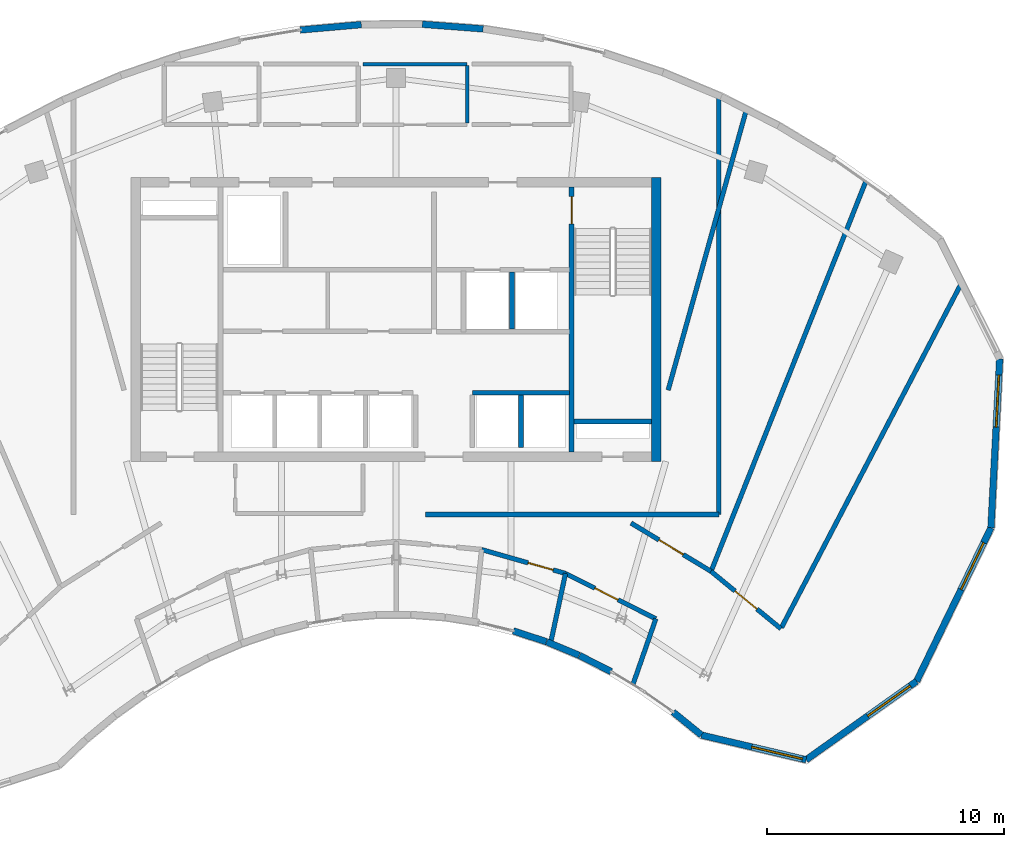
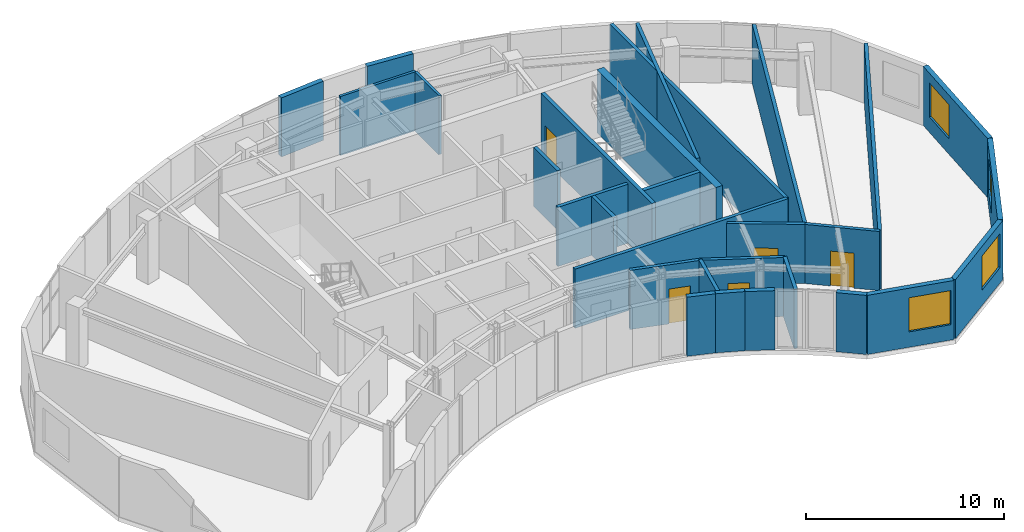
# One storey, part 7 of 9: 29 walls, 5 doors, 4 windows, 9 openings.
"""IFC4 building model written with IfcOpenShell, lengths in metres."""

from ifc_helpers import new_model, si_unit, direction, frame, frame_2d, origin, place, context, subcontext, project, spatial, rectangle, extrude, source, transform, mapped, material, layer, layer_set, type_object, type_shapes, element, fill, save


model = new_model("IFC4")

# Units and contexts
model_context = context("Model", 3, precision=1e-05, world=origin(), true_north=direction((0.0, 1.0)))
body_context = subcontext(model_context, "Body", "Model", "MODEL_VIEW")
ifc_project = project(units=[si_unit("LENGTHUNIT", "METRE"), si_unit("AREAUNIT", "SQUARE_METRE"), si_unit("VOLUMEUNIT", "CUBIC_METRE"), si_unit("PLANEANGLEUNIT", "RADIAN"), si_unit("MASSUNIT", "GRAM", prefix="KILO")], contexts=[model_context])

# Site, building, storey
site_placement = place(None, origin())
site = spatial("IfcSite", under=ifc_project, at=site_placement, CompositionType="ELEMENT")
building_placement = place(site_placement, origin())
building = spatial("IfcBuilding", under=site, at=building_placement, Name="Breltana Convention Tower", CompositionType="ELEMENT")
storey_placement = place(building_placement, frame((0.0, 0.0, 279.60009765625)))
storey = spatial("IfcBuildingStorey", under=building, at=storey_placement, Name="L68", CompositionType="ELEMENT", Elevation=279.60009765625)

# Walls
ifc_material_1 = material(Name="Concrete C50/60", Category="concrete")
ifc_layer_1 = layer(ifc_material_1, 0.39990234375, Name="Concrete C50/60")
ifc_layer_set_1 = layer_set([ifc_layer_1], Name="Concrete C50/60")
wall_type_1 = type_object("IfcWallType", Name="SW-CORE-400", PredefinedType="SHEAR", material=ifc_layer_set_1)
shared_shape_1 = source(origin(), body_context, "Body", "SweptSolid", [
    extrude(rectangle(XDim=3.27001953125, YDim=0.219970703125, at=frame_2d((1.635009765625, 0.0))), origin(), (0.0, 0.0, 1.0), 3.89990234375),
])
wall_1_placement = place(storey_placement, frame((55.530029296875, 61.889892578125, 0.0), z_axis=(0.0, 0.0, 1.0), x_axis=(1.0, 0.0, 0.0)))
element("IfcWall", 1, at=wall_1_placement, inside=storey, type_object=wall_type_1, Name="L68 ST-2 Stairwell South Bearing Wall", PredefinedType="SHEAR", context=body_context, shape_type="MappedRepresentation", body=[
    mapped(shared_shape_1, transform((0.0, 0.0, 0.0), scale=1.0)),
])
shared_shape_2 = source(origin(), body_context, "Body", "SweptSolid", [
    extrude(rectangle(XDim=12.0, YDim=0.39990234375, at=frame_2d((6.0, 0.0))), origin(), (0.0, 0.0, 1.0), 3.89990234375),
])
wall_2_placement = place(storey_placement, frame((59.0, 60.199951171875, 0.0), z_axis=(0.0, 0.0, 1.0), x_axis=(0.0, 1.0, 0.0)))
element("IfcWall", 2, at=wall_2_placement, inside=storey, type_object=wall_type_1, Name="L68 East Core Shear Wall", PredefinedType="SHEAR", context=body_context, shape_type="MappedRepresentation", body=[
    mapped(shared_shape_2, transform((0.0, 0.0, 0.0), scale=1.0)),
])

# Wall, opening, door
shared_shape_3 = source(origin(), body_context, "Body", "SweptSolid", [
    extrude(rectangle(XDim=11.199951171875, YDim=0.219970703125, at=frame_2d((5.60009765625, 0.0))), origin(), (0.0, 0.0, 1.0), 3.89990234375),
])
wall_3_placement = place(storey_placement, frame((55.419921875, 60.60009765625, 0.0), z_axis=(0.0, 0.0, 1.0), x_axis=(0.0, 1.0, 0.0)))
wall_3 = element("IfcWall", 3, at=wall_3_placement, inside=storey, type_object=wall_type_1, Name="L68 Core East Stair Spine Wall", PredefinedType="SHEAR", context=body_context, shape_type="MappedRepresentation", body=[
    mapped(shared_shape_3, transform((0.0, 0.0, 0.0), scale=1.0)),
])
opening_1_placement = place(wall_3_placement, frame((9.64501953125, 0.0, 0.0)))
opening_1 = element("IfcOpeningElement", 4, at=opening_1_placement, cuts=wall_3, Name="Opening D-11", PredefinedType="OPENING", context=body_context, shape_type="SweptSolid", body=[
    extrude(rectangle(XDim=1.14990234375, YDim=2.14990234375, at=frame_2d((0.574951171875, 1.074951171875))), frame((0.0, 0.1201171875, 0.0), z_axis=(0.0, -1.0, 0.0), x_axis=(1.0, 0.0, 0.0)), (0.0, 0.0, 1.0), 0.239990234375),
])
ifc_material_2 = material(Name="Steel Stair Exit Door", Category="steel")
door_type_1 = type_object("IfcDoorType", Name="DR-FD120-1150", OperationType="NOTDEFINED", PredefinedType="DOOR", material=ifc_material_2)
shared_shape_4 = source(origin(), body_context, "Body", "SweptSolid", [
    extrude(rectangle(XDim=1.14990234375, YDim=2.14990234375, at=frame_2d((0.574951171875, 1.074951171875))), frame((0.0, 0.02490234375, 0.0), z_axis=(0.0, -1.0, 0.0), x_axis=(1.0, 0.0, 0.0)), (0.0, 0.0, 1.0), 0.050048828125),
])
type_shapes(door_type_1, [shared_shape_4])
door_1_placement = place(opening_1_placement, origin())
door_1 = element("IfcDoor", 5, at=door_1_placement, inside=storey, type_object=door_type_1, Name="L68 interior door D-L68-ST2", OperationType="SINGLE_SWING_LEFT", OverallHeight=2.14990234375, OverallWidth=1.14990234375, PredefinedType="DOOR", context=body_context, shape_type="MappedRepresentation", body=[
    mapped(shared_shape_4, transform((0.0, 0.0, 0.0), scale=1.0)),
])
fill(opening_1, door_1)

# Wall, opening, window
ifc_material_3 = material(Name="Limestone Buff Insulated Wall", Category="masonry")
ifc_layer_2 = layer(ifc_material_3, 0.280029296875, Name="Limestone Buff Insulated Wall")
ifc_layer_set_2 = layer_set([ifc_layer_2], Name="Limestone Buff Insulated Wall")
wall_type_2 = type_object("IfcWallType", Name="WL-EXT-NOSE-280", PredefinedType="SOLIDWALL", material=ifc_layer_set_2)
shared_shape_5 = source(origin(), body_context, "Body", "SweptSolid", [
    extrude(rectangle(XDim=7.151123046875, YDim=0.280029296875, at=frame_2d((3.57568359375, 0.0))), origin(), (0.0, 0.0, 1.0), 3.639892578125),
])
wall_4_placement = place(storey_placement, frame((73.516357421875, 64.540283203125, 0.0), z_axis=(0.0, 0.0, 1.0), x_axis=(-0.051449614265, -0.998675591567, 0.0)))
wall_4 = element("IfcWall", 6, at=wall_4_placement, inside=storey, type_object=wall_type_2, Name="L68 curved limestone nose wall E2", PredefinedType="SOLIDWALL", context=body_context, shape_type="MappedRepresentation", body=[
    mapped(shared_shape_5, transform((0.0, 0.0, 0.0), scale=1.0)),
])
opening_2_placement = place(wall_4_placement, frame((0.687744140625, 0.0, 0.949951171875)))
opening_2 = element("IfcOpeningElement", 7, at=opening_2_placement, cuts=wall_4, Name="Opening W-03", PredefinedType="OPENING", context=body_context, shape_type="SweptSolid", body=[
    extrude(rectangle(XDim=2.199951171875, YDim=2.10009765625, at=frame_2d((1.10009765625, 1.050048828125))), frame((0.0, 0.14990234375, 0.0), z_axis=(0.0, -1.0, 0.0), x_axis=(1.0, 0.0, 0.0)), (0.0, 0.0, 1.0), 0.300048828125),
])
ifc_material_4 = material(Name="Glass Low-E Insulated Window", Category="glass")
window_type = type_object("IfcWindowType", Name="WN-NOSE-2200X2100", PartitioningType="TRIPLE_PANEL_VERTICAL", PredefinedType="WINDOW", material=ifc_material_4)
shared_shape_6 = source(origin(), body_context, "Body", "SweptSolid", [
    extrude(rectangle(XDim=2.199951171875, YDim=2.10009765625, at=frame_2d((1.10009765625, 1.050048828125))), frame((0.0, 0.030029296875, 0.0), z_axis=(0.0, -1.0, 0.0), x_axis=(1.0, 0.0, 0.0)), (0.0, 0.0, 1.0), 0.06005859375),
])
type_shapes(window_type, [shared_shape_6])
window_1_placement = place(opening_2_placement, origin())
window_1 = element("IfcWindow", 8, at=window_1_placement, inside=storey, type_object=window_type, Name="L68 nose window E2", OverallHeight=2.10009765625, OverallWidth=2.199951171875, PartitioningType="TRIPLE_PANEL_VERTICAL", PredefinedType="WINDOW", context=body_context, shape_type="MappedRepresentation", body=[
    mapped(shared_shape_6, transform((0.0, 0.0, 0.0), scale=1.0)),
])
fill(opening_2, window_1)

shared_shape_7 = source(origin(), body_context, "Body", "SweptSolid", [
    extrude(rectangle(XDim=7.21142578125, YDim=0.280029296875, at=frame_2d((3.605712890625, 0.0))), origin(), (0.0, 0.0, 1.0), 3.639892578125),
])
wall_5_placement = place(storey_placement, frame((73.1484375, 57.398681640625, 0.0), z_axis=(0.0, 0.0, 1.0), x_axis=(-0.436088263006, -0.899903898685, 0.0)))
wall_5 = element("IfcWall", 9, at=wall_5_placement, inside=storey, type_object=wall_type_2, Name="L68 curved limestone nose wall E3", PredefinedType="SOLIDWALL", context=body_context, shape_type="MappedRepresentation", body=[
    mapped(shared_shape_7, transform((0.0, 0.0, 0.0), scale=1.0)),
])
opening_3_placement = place(wall_5_placement, frame((0.702880859375, 0.0, 0.949951171875)))
opening_3 = element("IfcOpeningElement", 10, at=opening_3_placement, cuts=wall_5, Name="Opening W-03", PredefinedType="OPENING", context=body_context, shape_type="SweptSolid", body=[
    extrude(rectangle(XDim=2.199951171875, YDim=2.10009765625, at=frame_2d((1.10009765625, 1.050048828125))), frame((0.0, 0.14990234375, 0.0), z_axis=(0.0, -1.0, 0.0), x_axis=(1.0, 0.0, 0.0)), (0.0, 0.0, 1.0), 0.300048828125),
])
window_2_placement = place(opening_3_placement, origin())
window_2 = element("IfcWindow", 11, at=window_2_placement, inside=storey, type_object=window_type, Name="L68 nose window E3", OverallHeight=2.10009765625, OverallWidth=2.199951171875, PartitioningType="TRIPLE_PANEL_VERTICAL", PredefinedType="WINDOW", context=body_context, shape_type="MappedRepresentation", body=[
    mapped(shared_shape_6, transform((0.0, 0.0, 0.0), scale=1.0)),
])
fill(opening_3, window_2)

shared_shape_8 = source(origin(), body_context, "Body", "SweptSolid", [
    extrude(rectangle(XDim=5.730712890625, YDim=0.280029296875, at=frame_2d((2.865234375, 0.0))), origin(), (0.0, 0.0, 1.0), 3.639892578125),
])
wall_6_placement = place(storey_placement, frame((70.003662109375, 50.9091796875, 0.0), z_axis=(0.0, 0.0, 1.0), x_axis=(-0.815021045908, -0.579431354629, 0.0)))
wall_6 = element("IfcWall", 12, at=wall_6_placement, inside=storey, type_object=wall_type_2, Name="L68 curved limestone nose wall E4", PredefinedType="SOLIDWALL", context=body_context, shape_type="MappedRepresentation", body=[
    mapped(shared_shape_8, transform((0.0, 0.0, 0.0), scale=1.0)),
])
opening_4_placement = place(wall_6_placement, frame((0.332763671875, 0.0, 0.949951171875)))
opening_4 = element("IfcOpeningElement", 13, at=opening_4_placement, cuts=wall_6, Name="Opening W-03", PredefinedType="OPENING", context=body_context, shape_type="SweptSolid", body=[
    extrude(rectangle(XDim=2.199951171875, YDim=2.10009765625, at=frame_2d((1.10009765625, 1.050048828125))), frame((0.0, 0.14990234375, 0.0), z_axis=(0.0, -1.0, 0.0), x_axis=(1.0, 0.0, 0.0)), (0.0, 0.0, 1.0), 0.300048828125),
])
window_3_placement = place(opening_4_placement, origin())
window_3 = element("IfcWindow", 14, at=window_3_placement, inside=storey, type_object=window_type, Name="L68 nose window E4", OverallHeight=2.10009765625, OverallWidth=2.199951171875, PartitioningType="TRIPLE_PANEL_VERTICAL", PredefinedType="WINDOW", context=body_context, shape_type="MappedRepresentation", body=[
    mapped(shared_shape_6, transform((0.0, 0.0, 0.0), scale=1.0)),
])
fill(opening_4, window_3)

shared_shape_9 = source(origin(), body_context, "Body", "SweptSolid", [
    extrude(rectangle(XDim=4.546630859375, YDim=0.280029296875, at=frame_2d((2.2734375, 0.0))), origin(), (0.0, 0.0, 1.0), 3.639892578125),
])
wall_7_placement = place(storey_placement, frame((65.3330078125, 47.588623046875, 0.0), z_axis=(0.0, 0.0, 1.0), x_axis=(-0.973332593516, 0.229398479505, 0.0)))
wall_7 = element("IfcWall", 15, at=wall_7_placement, inside=storey, type_object=wall_type_2, Name="L68 curved limestone nose wall E5", PredefinedType="SOLIDWALL", context=body_context, shape_type="MappedRepresentation", body=[
    mapped(shared_shape_9, transform((0.0, 0.0, 0.0), scale=1.0)),
])
opening_5_placement = place(wall_7_placement, frame((0.159912109375, 0.0, 0.949951171875)))
opening_5 = element("IfcOpeningElement", 16, at=opening_5_placement, cuts=wall_7, Name="Opening W-03", PredefinedType="OPENING", context=body_context, shape_type="SweptSolid", body=[
    extrude(rectangle(XDim=2.199951171875, YDim=2.10009765625, at=frame_2d((1.10009765625, 1.050048828125))), frame((0.0, 0.14990234375, 0.0), z_axis=(0.0, -1.0, 0.0), x_axis=(1.0, 0.0, 0.0)), (0.0, 0.0, 1.0), 0.300048828125),
])
window_4_placement = place(opening_5_placement, origin())
window_4 = element("IfcWindow", 17, at=window_4_placement, inside=storey, type_object=window_type, Name="L68 nose window E5", OverallHeight=2.10009765625, OverallWidth=2.199951171875, PartitioningType="TRIPLE_PANEL_VERTICAL", PredefinedType="WINDOW", context=body_context, shape_type="MappedRepresentation", body=[
    mapped(shared_shape_6, transform((0.0, 0.0, 0.0), scale=1.0)),
])
fill(opening_5, window_4)

# Walls
shared_shape_10 = source(origin(), body_context, "Body", "SweptSolid", [
    extrude(rectangle(XDim=1.54345703125, YDim=0.280029296875, at=frame_2d((0.771728515625, 0.0))), origin(), (0.0, 0.0, 1.0), 3.639892578125),
])
wall_8_placement = place(storey_placement, frame((60.90771484375, 48.631591796875, 0.0), z_axis=(0.0, 0.0, 1.0), x_axis=(-0.77582846857, 0.63094388606, 0.0)))
element("IfcWall", 18, at=wall_8_placement, inside=storey, type_object=wall_type_2, Name="L68 curved limestone nose wall E6", PredefinedType="SOLIDWALL", context=body_context, shape_type="MappedRepresentation", body=[
    mapped(shared_shape_10, transform((0.0, 0.0, 0.0), scale=1.0)),
])
shared_shape_11 = source(origin(), body_context, "Body", "SweptSolid", [
    extrude(rectangle(XDim=1.508544921875, YDim=0.280029296875, at=frame_2d((0.75439453125, 0.0))), origin(), (0.0, 0.0, 1.0), 3.639892578125),
])
wall_9_placement = place(storey_placement, frame((57.09375, 51.3154296875, 0.0), z_axis=(0.0, 0.0, 1.0), x_axis=(-0.89169189228, 0.452642871635, 0.0)))
element("IfcWall", 19, at=wall_9_placement, inside=storey, type_object=wall_type_2, Name="L68 curved limestone nose wall E7", PredefinedType="SOLIDWALL", context=body_context, shape_type="MappedRepresentation", body=[
    mapped(shared_shape_11, transform((0.0, 0.0, 0.0), scale=1.0)),
])
shared_shape_12 = source(origin(), body_context, "Body", "SweptSolid", [
    extrude(rectangle(XDim=1.48779296875, YDim=0.280029296875, at=frame_2d((0.743896484375, 0.0))), origin(), (0.0, 0.0, 1.0), 3.639892578125),
])
wall_10_placement = place(storey_placement, frame((55.736328125, 52.00390625, 0.0), z_axis=(0.0, 0.0, 1.0), x_axis=(-0.923261314935, 0.384172545017, 0.0)))
element("IfcWall", 20, at=wall_10_placement, inside=storey, type_object=wall_type_2, Name="L68 curved limestone nose wall E8", PredefinedType="SOLIDWALL", context=body_context, shape_type="MappedRepresentation", body=[
    mapped(shared_shape_12, transform((0.0, 0.0, 0.0), scale=1.0)),
])
shared_shape_13 = source(origin(), body_context, "Body", "SweptSolid", [
    extrude(rectangle(XDim=1.470458984375, YDim=0.280029296875, at=frame_2d((0.7353515625, 0.0))), origin(), (0.0, 0.0, 1.0), 3.639892578125),
])
wall_11_placement = place(storey_placement, frame((54.349609375, 52.580322265625, 0.0), z_axis=(0.0, 0.0, 1.0), x_axis=(-0.950248878954, 0.311491682145, 0.0)))
element("IfcWall", 21, at=wall_11_placement, inside=storey, type_object=wall_type_2, Name="L68 curved limestone nose wall E9", PredefinedType="SOLIDWALL", context=body_context, shape_type="MappedRepresentation", body=[
    mapped(shared_shape_13, transform((0.0, 0.0, 0.0), scale=1.0)),
])
shared_shape_14 = source(origin(), body_context, "Body", "SweptSolid", [
    extrude(rectangle(XDim=2.58251953125, YDim=0.280029296875, at=frame_2d((1.291259765625, 0.0))), origin(), (0.0, 0.0, 1.0), 3.639892578125),
])
wall_12_placement = place(storey_placement, frame((43.954345703125, 78.4423828125, 0.0), z_axis=(0.0, 0.0, 1.0), x_axis=(0.996168946569, 0.087449584851, 0.0)))
element("IfcWall", 22, at=wall_12_placement, inside=storey, type_object=wall_type_2, Name="L68 curved limestone nose wall E25", PredefinedType="SOLIDWALL", context=body_context, shape_type="MappedRepresentation", body=[
    mapped(shared_shape_14, transform((0.0, 0.0, 0.0), scale=1.0)),
])
shared_shape_15 = source(origin(), body_context, "Body", "SweptSolid", [
    extrude(rectangle(XDim=2.581298828125, YDim=0.280029296875, at=frame_2d((1.29052734375, 0.0))), origin(), (0.0, 0.0, 1.0), 3.639892578125),
])
wall_13_placement = place(storey_placement, frame((49.10498046875, 78.68359375, 0.0), z_axis=(0.0, 0.0, 1.0), x_axis=(0.997111514352, -0.075951484161, 0.0)))
element("IfcWall", 23, at=wall_13_placement, inside=storey, type_object=wall_type_2, Name="L68 curved limestone nose wall E27", PredefinedType="SOLIDWALL", context=body_context, shape_type="MappedRepresentation", body=[
    mapped(shared_shape_15, transform((0.0, 0.0, 0.0), scale=1.0)),
])
ifc_material_5 = material(Name="Autoclaved Aerated Concrete Block", Category="concrete")
ifc_layer_3 = layer(ifc_material_5, 0.199951171875, Name="Autoclaved Aerated Concrete Block")
ifc_layer_set_3 = layer_set([ifc_layer_3], Name="Autoclaved Aerated Concrete Block")
wall_type_3 = type_object("IfcWallType", Name="WL-SHAFT-200", PredefinedType="SOLIDWALL", material=ifc_layer_set_3)
shared_shape_16 = source(origin(), body_context, "Body", "SweptSolid", [
    extrude(rectangle(XDim=2.39990234375, YDim=0.199951171875, at=frame_2d((1.199951171875, 0.0))), origin(), (0.0, 0.0, 1.0), 3.639892578125),
])
wall_14_placement = place(storey_placement, frame((52.89990234375, 65.800048828125, 0.0), z_axis=(0.0, 0.0, 1.0), x_axis=(0.0, 1.0, 0.0)))
element("IfcWall", 24, at=wall_14_placement, inside=storey, type_object=wall_type_3, Name="L68 interior partition W-L68-FL-DIV", PredefinedType="SOLIDWALL", context=body_context, shape_type="MappedRepresentation", body=[
    mapped(shared_shape_16, transform((0.0, 0.0, 0.0), scale=1.0)),
])
shared_shape_17 = source(origin(), body_context, "Body", "SweptSolid", [
    extrude(rectangle(XDim=4.10009765625, YDim=0.199951171875, at=frame_2d((2.050048828125, 0.0))), origin(), (0.0, 0.0, 1.0), 3.639892578125),
])
wall_15_placement = place(storey_placement, frame((51.219970703125, 63.10009765625, 0.0), z_axis=(0.0, 0.0, 1.0), x_axis=(1.0, 0.0, 0.0)))
element("IfcWall", 25, at=wall_15_placement, inside=storey, type_object=wall_type_3, Name="L68 interior partition W-L68-SH-X-FRONT", PredefinedType="SOLIDWALL", context=body_context, shape_type="MappedRepresentation", body=[
    mapped(shared_shape_17, transform((0.0, 0.0, 0.0), scale=1.0)),
])
shared_shape_18 = source(origin(), body_context, "Body", "SweptSolid", [
    extrude(rectangle(XDim=2.199951171875, YDim=0.199951171875, at=frame_2d((1.10009765625, 0.0))), origin(), (0.0, 0.0, 1.0), 3.639892578125),
])
wall_16_placement = place(storey_placement, frame((53.280029296875, 60.800048828125, 0.0), z_axis=(0.0, 0.0, 1.0), x_axis=(0.0, 1.0, 0.0)))
element("IfcWall", 26, at=wall_16_placement, inside=storey, type_object=wall_type_3, Name="L68 interior partition W-L68-SH-X-DIV", PredefinedType="SOLIDWALL", context=body_context, shape_type="MappedRepresentation", body=[
    mapped(shared_shape_18, transform((0.0, 0.0, 0.0), scale=1.0)),
])
ifc_material_6 = material(Name="Gypsum Acoustic Drywall Partition")
ifc_layer_4 = layer(ifc_material_6, 0.14990234375, Name="Gypsum Acoustic Drywall Partition")
ifc_layer_set_4 = layer_set([ifc_layer_4], Name="Gypsum Acoustic Drywall Partition")
wall_type_4 = type_object("IfcWallType", Name="WL-PART-150", PredefinedType="PARTITIONING", material=ifc_layer_set_4)
shared_shape_19 = source(origin(), body_context, "Body", "SweptSolid", [
    extrude(rectangle(XDim=4.39990234375, YDim=0.14990234375, at=frame_2d((2.199951171875, 0.0))), origin(), (0.0, 0.0, 1.0), 3.639892578125),
])
wall_17_placement = place(storey_placement, frame((46.60009765625, 77.0, 0.0), z_axis=(0.0, 0.0, 1.0), x_axis=(1.0, 0.0, 0.0)))
element("IfcWall", 27, at=wall_17_placement, inside=storey, type_object=wall_type_4, Name="L68 interior partition W-L68-PNT-N", PredefinedType="PARTITIONING", context=body_context, shape_type="MappedRepresentation", body=[
    mapped(shared_shape_19, transform((0.0, 0.0, 0.0), scale=1.0)),
])
shared_shape_20 = source(origin(), body_context, "Body", "SweptSolid", [
    extrude(rectangle(XDim=2.425048828125, YDim=0.14990234375, at=frame_2d((1.21240234375, 0.0))), origin(), (0.0, 0.0, 1.0), 3.639892578125),
])
wall_18_placement = place(storey_placement, frame((51.0, 74.507568359375, 0.0), z_axis=(0.0, 0.0, 1.0), x_axis=(0.0, 1.0, 0.0)))
element("IfcWall", 28, at=wall_18_placement, inside=storey, type_object=wall_type_4, Name="L68 interior partition W-L68-PNT-E", PredefinedType="PARTITIONING", context=body_context, shape_type="MappedRepresentation", body=[
    mapped(shared_shape_20, transform((0.0, 0.0, 0.0), scale=1.0)),
])
ifc_material_7 = material(Name="Gypsum Acoustic Hotel Wall")
ifc_layer_5 = layer(ifc_material_7, 0.195068359375, Name="Gypsum Acoustic Hotel Wall")
ifc_layer_set_5 = layer_set([ifc_layer_5], Name="Gypsum Acoustic Hotel Wall")
wall_type_5 = type_object("IfcWallType", Name="WL-HOTEL-200", PredefinedType="PARTITIONING", material=ifc_layer_set_5)
shared_shape_21 = source(origin(), body_context, "Body", "SweptSolid", [
    extrude(rectangle(XDim=12.389892578125, YDim=0.195068359375, at=frame_2d((6.19482421875, 0.0))), origin(), (0.0, 0.0, 1.0), 3.639892578125),
])
wall_19_placement = place(storey_placement, frame((49.25, 57.9599609375, 0.0), z_axis=(0.0, 0.0, 1.0), x_axis=(1.0, 0.0, 0.0)))
element("IfcWall", 29, at=wall_19_placement, inside=storey, type_object=wall_type_5, Name="L68 interior partition W-L68-Z45-CSE", PredefinedType="PARTITIONING", context=body_context, shape_type="MappedRepresentation", body=[
    mapped(shared_shape_21, transform((0.0, 0.0, 0.0), scale=1.0)),
])

# Wall, opening, door
shared_shape_22 = source(origin(), body_context, "Body", "SweptSolid", [
    extrude(rectangle(XDim=4.270751953125, YDim=0.195068359375, at=frame_2d((2.13525390625, 0.0))), origin(), (0.0, 0.0, 1.0), 3.639892578125),
])
wall_20_placement = place(storey_placement, frame((55.1611328125, 55.464599609375, 0.0), z_axis=(0.0, 0.0, 1.0), x_axis=(0.894061035522, -0.447945158207, 0.0)))
wall_20 = element("IfcWall", 30, at=wall_20_placement, inside=storey, type_object=wall_type_5, Name="L68 interior partition W-L68-ES6-COR", PredefinedType="PARTITIONING", context=body_context, shape_type="MappedRepresentation", body=[
    mapped(shared_shape_22, transform((0.0, 0.0, 0.0), scale=1.0)),
])
opening_6_placement = place(wall_20_placement, frame((1.385498046875, 0.0, 0.0)))
opening_6 = element("IfcOpeningElement", 31, at=opening_6_placement, cuts=wall_20, Name="Opening D-12", PredefinedType="OPENING", context=body_context, shape_type="SweptSolid", body=[
    extrude(rectangle(XDim=1.10009765625, YDim=2.14990234375, at=frame_2d((0.550048828125, 1.074951171875))), frame((0.0, 0.107421875, 0.0), z_axis=(0.0, -1.0, 0.0), x_axis=(1.0, 0.0, 0.0)), (0.0, 0.0, 1.0), 0.215087890625),
])
ifc_material_8 = material(Name="Timber Oak Acoustic Door", Category="wood")
door_type_2 = type_object("IfcDoorType", Name="DR-INT-1100", OperationType="NOTDEFINED", PredefinedType="DOOR", material=ifc_material_8)
shared_shape_23 = source(origin(), body_context, "Body", "SweptSolid", [
    extrude(rectangle(XDim=1.10009765625, YDim=2.14990234375, at=frame_2d((0.550048828125, 1.074951171875))), frame((0.0, 0.02490234375, 0.0), z_axis=(0.0, -1.0, 0.0), x_axis=(1.0, 0.0, 0.0)), (0.0, 0.0, 1.0), 0.050048828125),
])
type_shapes(door_type_2, [shared_shape_23])
door_2_placement = place(opening_6_placement, origin())
door_2 = element("IfcDoor", 32, at=door_2_placement, inside=storey, type_object=door_type_2, Name="L68 interior door D-L68-ES6", OperationType="SINGLE_SWING_LEFT", OverallHeight=2.14990234375, OverallWidth=1.10009765625, PredefinedType="DOOR", context=body_context, shape_type="MappedRepresentation", body=[
    mapped(shared_shape_23, transform((0.0, 0.0, 0.0), scale=1.0)),
])
fill(opening_6, door_2)

shared_shape_24 = source(origin(), body_context, "Body", "SweptSolid", [
    extrude(rectangle(XDim=3.6865234375, YDim=0.195068359375, at=frame_2d((1.84326171875, 0.0))), origin(), (0.0, 0.0, 1.0), 3.639892578125),
])
wall_21_placement = place(storey_placement, frame((51.61572265625, 56.474365234375, 0.0), z_axis=(0.0, 0.0, 1.0), x_axis=(0.961753532248, -0.27391630694, 0.0)))
wall_21 = element("IfcWall", 33, at=wall_21_placement, inside=storey, type_object=wall_type_5, Name="L68 interior partition W-L68-ES5-COR", PredefinedType="PARTITIONING", context=body_context, shape_type="MappedRepresentation", body=[
    mapped(shared_shape_24, transform((0.0, 0.0, 0.0), scale=1.0)),
])
opening_7_placement = place(wall_21_placement, frame((2.043212890625, 0.0, 0.0)))
opening_7 = element("IfcOpeningElement", 34, at=opening_7_placement, cuts=wall_21, Name="Opening D-12", PredefinedType="OPENING", context=body_context, shape_type="SweptSolid", body=[
    extrude(rectangle(XDim=1.10009765625, YDim=2.14990234375, at=frame_2d((0.550048828125, 1.074951171875))), frame((0.0, 0.107421875, 0.0), z_axis=(0.0, -1.0, 0.0), x_axis=(1.0, 0.0, 0.0)), (0.0, 0.0, 1.0), 0.215087890625),
])
door_3_placement = place(opening_7_placement, origin())
door_3 = element("IfcDoor", 35, at=door_3_placement, inside=storey, type_object=door_type_2, Name="L68 interior door D-L68-ES5", OperationType="SINGLE_SWING_RIGHT", OverallHeight=2.14990234375, OverallWidth=1.10009765625, PredefinedType="DOOR", context=body_context, shape_type="MappedRepresentation", body=[
    mapped(shared_shape_23, transform((0.0, 0.0, 0.0), scale=1.0)),
])
fill(opening_7, door_3)

# Walls
shared_shape_25 = source(origin(), body_context, "Body", "SweptSolid", [
    extrude(rectangle(XDim=3.0146484375, YDim=0.195068359375, at=frame_2d((1.50732421875, 0.0))), origin(), (0.0, 0.0, 1.0), 3.639892578125),
])
wall_22_placement = place(storey_placement, frame((54.5302734375, 52.5166015625, 0.0), z_axis=(0.0, 0.0, 1.0), x_axis=(0.209258086484, 0.977860446711, 0.0)))
element("IfcWall", 36, at=wall_22_placement, inside=storey, type_object=wall_type_5, Name="L68 interior partition W-L68-ES5-RB", PredefinedType="PARTITIONING", context=body_context, shape_type="MappedRepresentation", body=[
    mapped(shared_shape_25, transform((0.0, 0.0, 0.0), scale=1.0)),
])
shared_shape_26 = source(origin(), body_context, "Body", "SweptSolid", [
    extrude(rectangle(XDim=2.94189453125, YDim=0.195068359375, at=frame_2d((1.470947265625, 0.0))), origin(), (0.0, 0.0, 1.0), 3.639892578125),
])
wall_23_placement = place(storey_placement, frame((58.0126953125, 50.77294921875, 0.0), z_axis=(0.0, 0.0, 1.0), x_axis=(0.328623620494, 0.944460965871, 0.0)))
element("IfcWall", 37, at=wall_23_placement, inside=storey, type_object=wall_type_5, Name="L68 interior partition W-L68-ES6-RB", PredefinedType="PARTITIONING", context=body_context, shape_type="MappedRepresentation", body=[
    mapped(shared_shape_26, transform((0.0, 0.0, 0.0), scale=1.0)),
])

# Wall, opening, door
shared_shape_27 = source(origin(), body_context, "Body", "SweptSolid", [
    extrude(rectangle(XDim=3.95068359375, YDim=0.195068359375, at=frame_2d((1.975341796875, 0.0))), origin(), (0.0, 0.0, 1.0), 3.639892578125),
])
wall_24_placement = place(storey_placement, frame((57.931884765625, 57.595703125, 0.0), z_axis=(0.0, 0.0, 1.0), x_axis=(0.856137696849, -0.51674775668, 0.0)))
wall_24 = element("IfcWall", 38, at=wall_24_placement, inside=storey, type_object=wall_type_5, Name="L68 interior partition W-L68-EXER1-COR", PredefinedType="PARTITIONING", context=body_context, shape_type="MappedRepresentation", body=[
    mapped(shared_shape_27, transform((0.0, 0.0, 0.0), scale=1.0)),
])
opening_8_placement = place(wall_24_placement, frame((1.37548828125, 0.0, 0.0)))
opening_8 = element("IfcOpeningElement", 39, at=opening_8_placement, cuts=wall_24, Name="Opening D-10", PredefinedType="OPENING", context=body_context, shape_type="SweptSolid", body=[
    extrude(rectangle(XDim=1.199951171875, YDim=2.14990234375, at=frame_2d((0.60009765625, 1.074951171875))), frame((0.0, 0.107421875, 0.0), z_axis=(0.0, -1.0, 0.0), x_axis=(1.0, 0.0, 0.0)), (0.0, 0.0, 1.0), 0.215087890625),
])
ifc_material_9 = material(Name="Timber Oak Veneer Fire Door", Category="wood")
door_type_3 = type_object("IfcDoorType", Name="DR-INT-1200", OperationType="NOTDEFINED", PredefinedType="DOOR", material=ifc_material_9)
shared_shape_28 = source(origin(), body_context, "Body", "SweptSolid", [
    extrude(rectangle(XDim=1.199951171875, YDim=2.14990234375, at=frame_2d((0.60009765625, 1.074951171875))), frame((0.0, 0.02490234375, 0.0), z_axis=(0.0, -1.0, 0.0), x_axis=(1.0, 0.0, 0.0)), (0.0, 0.0, 1.0), 0.050048828125),
])
type_shapes(door_type_3, [shared_shape_28])
door_4_placement = place(opening_8_placement, origin())
door_4 = element("IfcDoor", 40, at=door_4_placement, inside=storey, type_object=door_type_3, Name="L68 interior door D-L68-EXER1", OperationType="SINGLE_SWING_RIGHT", OverallHeight=2.14990234375, OverallWidth=1.199951171875, PredefinedType="DOOR", context=body_context, shape_type="MappedRepresentation", body=[
    mapped(shared_shape_28, transform((0.0, 0.0, 0.0), scale=1.0)),
])
fill(opening_8, door_4)

# Walls
shared_shape_29 = source(origin(), body_context, "Body", "SweptSolid", [
    extrude(rectangle(XDim=12.306640625, YDim=0.195068359375, at=frame_2d((6.1533203125, 0.0))), origin(), (0.0, 0.0, 1.0), 3.639892578125),
])
wall_25_placement = place(storey_placement, frame((59.5, 63.2158203125, 0.0), z_axis=(0.0, 0.0, 1.0), x_axis=(0.268768150257, 0.96320490105, 0.0)))
element("IfcWall", 41, at=wall_25_placement, inside=storey, type_object=wall_type_5, Name="L68 interior partition W-L68-EXER1-RA", PredefinedType="PARTITIONING", context=body_context, shape_type="MappedRepresentation", body=[
    mapped(shared_shape_29, transform((0.0, 0.0, 0.0), scale=1.0)),
])
shared_shape_30 = source(origin(), body_context, "Body", "SweptSolid", [
    extrude(rectangle(XDim=17.663818359375, YDim=0.195068359375, at=frame_2d((8.83203125, 0.0))), origin(), (0.0, 0.0, 1.0), 3.639892578125),
])
wall_26_placement = place(storey_placement, frame((61.3330078125, 55.6015625, 0.0), z_axis=(0.0, 0.0, 1.0), x_axis=(0.368827513738, 0.929497856431, 0.0)))
element("IfcWall", 42, at=wall_26_placement, inside=storey, type_object=wall_type_5, Name="L68 interior partition W-L68-EXER1-RB", PredefinedType="PARTITIONING", context=body_context, shape_type="MappedRepresentation", body=[
    mapped(shared_shape_30, transform((0.0, 0.0, 0.0), scale=1.0)),
])

# Wall, opening, door
shared_shape_31 = source(origin(), body_context, "Body", "SweptSolid", [
    extrude(rectangle(XDim=3.8203125, YDim=0.195068359375, at=frame_2d((1.91015625, 0.0))), origin(), (0.0, 0.0, 1.0), 3.639892578125),
])
wall_27_placement = place(storey_placement, frame((61.314208984375, 55.55419921875, 0.0), z_axis=(0.0, 0.0, 1.0), x_axis=(0.772805728445, -0.63464266015, 0.0)))
wall_27 = element("IfcWall", 43, at=wall_27_placement, inside=storey, type_object=wall_type_5, Name="L68 interior partition W-L68-EXER2-COR", PredefinedType="PARTITIONING", context=body_context, shape_type="MappedRepresentation", body=[
    mapped(shared_shape_31, transform((0.0, 0.0, 0.0), scale=1.0)),
])
opening_9_placement = place(wall_27_placement, frame((1.31005859375, 0.0, 0.0)))
opening_9 = element("IfcOpeningElement", 44, at=opening_9_placement, cuts=wall_27, Name="Opening D-10", PredefinedType="OPENING", context=body_context, shape_type="SweptSolid", body=[
    extrude(rectangle(XDim=1.199951171875, YDim=2.14990234375, at=frame_2d((0.60009765625, 1.074951171875))), frame((0.0, 0.107421875, 0.0), z_axis=(0.0, -1.0, 0.0), x_axis=(1.0, 0.0, 0.0)), (0.0, 0.0, 1.0), 0.215087890625),
])
door_5_placement = place(opening_9_placement, origin())
door_5 = element("IfcDoor", 45, at=door_5_placement, inside=storey, type_object=door_type_3, Name="L68 interior door D-L68-EXER2", OperationType="SINGLE_SWING_LEFT", OverallHeight=2.14990234375, OverallWidth=1.199951171875, PredefinedType="DOOR", context=body_context, shape_type="MappedRepresentation", body=[
    mapped(shared_shape_28, transform((0.0, 0.0, 0.0), scale=1.0)),
])
fill(opening_9, door_5)

# Walls
shared_shape_32 = source(origin(), body_context, "Body", "SweptSolid", [
    extrude(rectangle(XDim=16.4296875, YDim=0.195068359375, at=frame_2d((8.21484375, 0.0))), origin(), (0.0, 0.0, 1.0), 3.639892578125),
])
wall_28_placement = place(storey_placement, frame((64.28955078125, 53.173583984375, 0.0), z_axis=(0.0, 0.0, 1.0), x_axis=(0.463119459371, 0.886295868405, 0.0)))
element("IfcWall", 46, at=wall_28_placement, inside=storey, type_object=wall_type_5, Name="L68 interior partition W-L68-EXER2-RB", PredefinedType="PARTITIONING", context=body_context, shape_type="MappedRepresentation", body=[
    mapped(shared_shape_32, transform((0.0, 0.0, 0.0), scale=1.0)),
])
shared_shape_33 = source(origin(), body_context, "Body", "SweptSolid", [
    extrude(rectangle(XDim=17.693359375, YDim=0.195068359375, at=frame_2d((8.8466796875, 0.0))), origin(), (0.0, 0.0, 1.0), 3.639892578125),
])
wall_29_placement = place(storey_placement, frame((61.639892578125, 57.9599609375, 0.0), z_axis=(0.0, 0.0, 1.0), x_axis=(0.0, 1.0, 0.0)))
element("IfcWall", 47, at=wall_29_placement, inside=storey, type_object=wall_type_5, Name="L68 interior partition W-L68-EXER-CL", PredefinedType="PARTITIONING", context=body_context, shape_type="MappedRepresentation", body=[
    mapped(shared_shape_33, transform((0.0, 0.0, 0.0), scale=1.0)),
])

save(model, "model.ifc")
